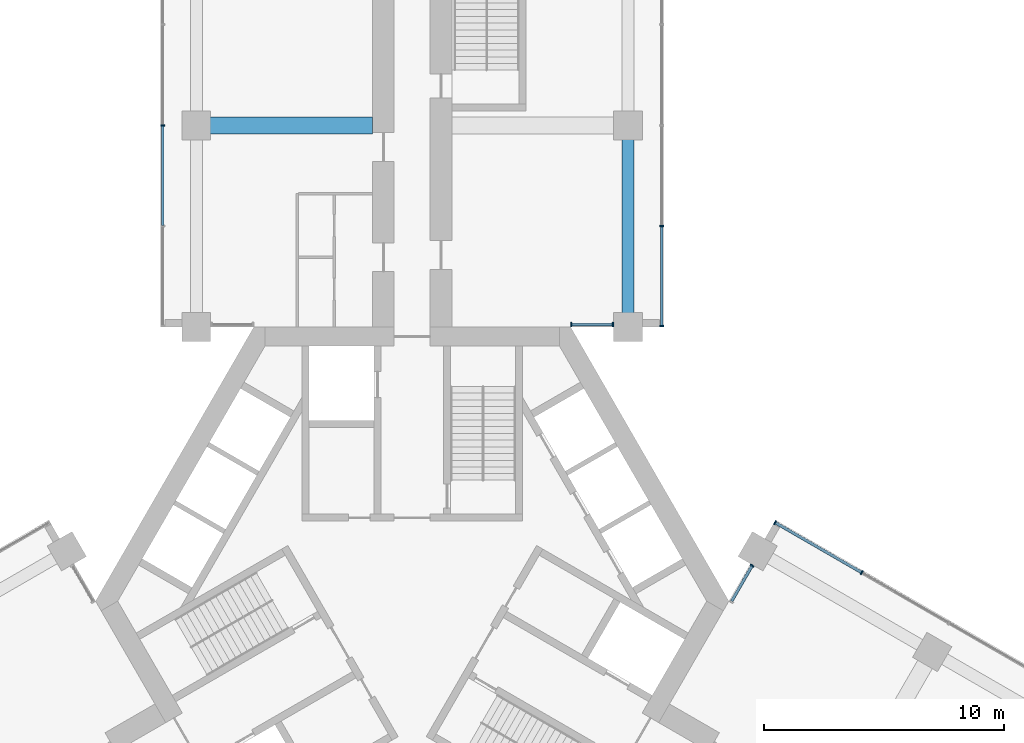
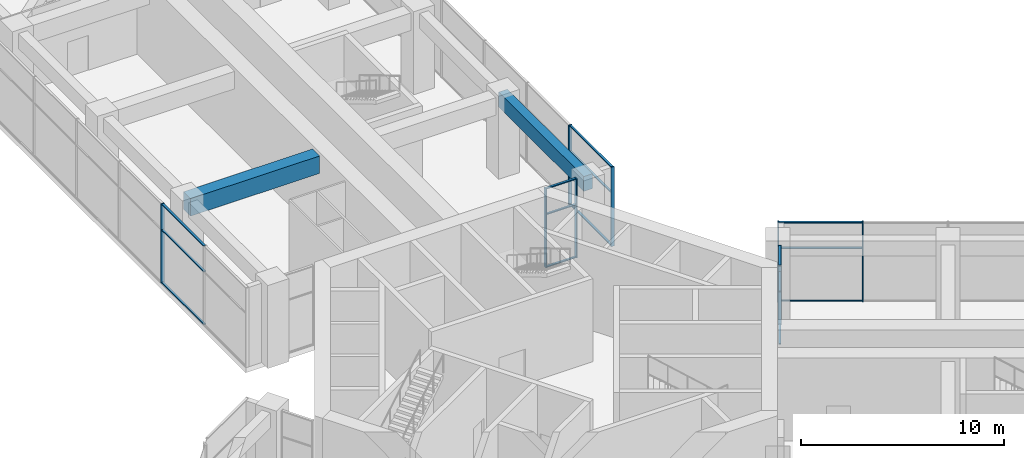
# One storey, part 7 of 20: 23 members, 2 beams, 5 elements without a shape of their own.
"""IFC4 building model written with IfcOpenShell, lengths in metres."""

from ifc_helpers import new_model, si_unit, direction, frame, origin, origin_2d, place, context, subcontext, project, spatial, rectangle, extrude, material, material_profile, profile_set, type_object, element, aggregate, save


model = new_model("IFC4")

# Units and contexts
model_context = context("Model", 3, precision=1e-05, world=origin(), true_north=direction((0.0, 1.0)))
body_context = subcontext(model_context, "Body", "Model", "MODEL_VIEW")
ifc_project = project(units=[si_unit("LENGTHUNIT", "METRE"), si_unit("AREAUNIT", "SQUARE_METRE"), si_unit("VOLUMEUNIT", "CUBIC_METRE"), si_unit("PLANEANGLEUNIT", "RADIAN"), si_unit("MASSUNIT", "GRAM", prefix="KILO")], contexts=[model_context])

# Site, building, storey
site_placement = place(None, origin())
site = spatial("IfcSite", under=ifc_project, at=site_placement, CompositionType="ELEMENT")
building_placement = place(site_placement, origin())
building = spatial("IfcBuilding", under=site, at=building_placement, Name="Impinga Residences", CompositionType="ELEMENT")
storey_placement = place(building_placement, frame((0.0, 0.0, 101.0)))
storey = spatial("IfcBuildingStorey", under=building, at=storey_placement, Name="L24", CompositionType="ELEMENT", Elevation=101.0)

# Beam
ifc_material_1 = material(Name="Concrete C60/75", Category="concrete")
ifc_material_profile_1 = material_profile(ifc_material_1, rectangle(XDim=0.699951171875, YDim=1.050048828125, at=origin_2d()), Name="RC 700x1050")
ifc_profile_set_1 = profile_set([ifc_material_profile_1], Name="Concrete C60/75")
beam_type_1 = type_object("IfcBeamType", Name="CG1 700x1050 cross girder on a wing bay line", PredefinedType="BEAM", material=ifc_profile_set_1)
beam_1_placement = place(storey_placement, frame((-1.64990234375, 19.83154296875, 4.2548828125), z_axis=(-1.0, 0.0, 0.0), x_axis=(0.0, -1.0, 0.0)))
element("IfcBeam", 1, at=beam_1_placement, inside=storey, type_object=beam_type_1, Name="Beam CG1 N2 NC/NA level L25", PredefinedType="BEAM", context=body_context, shape_type="SweptSolid", body=[
    extrude(rectangle(XDim=0.699951171875, YDim=1.050048828125, at=origin_2d()), origin(), (0.0, 0.0, 1.0), 7.35009765625),
])

# Curtain wall, member
ifc_material_2 = material(Name="Aluminium stick curtain wall", Category="aluminium")
curtain_wall_type = type_object("IfcCurtainWallType", Name="CW2 sky amenity curtain wall", PredefinedType="USERDEFINED", material=ifc_material_2)
curtain_wall_1_placement = place(storey_placement, origin())
curtain_wall_1 = element("IfcCurtainWall", 2, at=curtain_wall_1_placement, inside=storey, type_object=curtain_wall_type, Name="Curtain wall CW2 L24", ObjectType="STICK CURTAIN WALL", PredefinedType="USERDEFINED")
ifc_material_3 = material(Name="Aluminium mullion", Category="aluminium")
ifc_material_profile_2 = material_profile(ifc_material_3, rectangle(XDim=0.06005859375, YDim=0.179931640625, at=origin_2d()), Name="60x180 mullion")
ifc_profile_set_2 = profile_set([ifc_material_profile_2], Name="Aluminium mullion")
member_type_1 = type_object("IfcMemberType", Name="CW2-M mullion 60x180", PredefinedType="MULLION", material=ifc_profile_set_2)
member_1_placement = place(storey_placement, frame((-10.39990234375, 19.83154296875, 0.0), z_axis=(0.0, 0.0, 1.0), x_axis=(0.0, 1.0, 0.0)))
member_1 = element("IfcMember", 3, at=member_1_placement, type_object=member_type_1, Name="CW2 mullion 3", PredefinedType="MULLION", context=body_context, shape_type="SweptSolid", body=[
    extrude(rectangle(XDim=0.06005859375, YDim=0.179931640625, at=origin_2d()), origin(), (0.0, 0.0, 1.0), 4.780029296875),
])

# Curtain wall, members
curtain_wall_2_placement = place(storey_placement, origin())
curtain_wall_2 = element("IfcCurtainWall", 4, at=curtain_wall_2_placement, inside=storey, type_object=curtain_wall_type, Name="Curtain wall CW2 L24", ObjectType="STICK CURTAIN WALL", PredefinedType="USERDEFINED")
member_2_placement = place(storey_placement, frame((10.39990234375, 15.631591796875, 0.0), z_axis=(0.0, 0.0, 1.0), x_axis=(0.0, -1.0, 0.0)))
member_2 = element("IfcMember", 5, at=member_2_placement, type_object=member_type_1, Name="CW2 mullion 8", PredefinedType="MULLION", context=body_context, shape_type="SweptSolid", body=[
    extrude(rectangle(XDim=0.06005859375, YDim=0.179931640625, at=origin_2d()), origin(), (0.0, 0.0, 1.0), 4.780029296875),
])
member_3_placement = place(storey_placement, frame((10.39990234375, 11.46142578125, 0.0), z_axis=(0.0, 0.0, 1.0), x_axis=(0.0, -1.0, 0.0)))
member_3 = element("IfcMember", 6, at=member_3_placement, type_object=member_type_1, Name="CW2 mullion 9", PredefinedType="MULLION", context=body_context, shape_type="SweptSolid", body=[
    extrude(rectangle(XDim=0.06005859375, YDim=0.179931640625, at=origin_2d()), origin(), (0.0, 0.0, 1.0), 4.780029296875),
])

curtain_wall_3_placement = place(storey_placement, origin())
curtain_wall_3 = element("IfcCurtainWall", 7, at=curtain_wall_3_placement, inside=storey, type_object=curtain_wall_type, Name="Curtain wall CW2 L24", ObjectType="STICK CURTAIN WALL", PredefinedType="USERDEFINED")
member_4_placement = place(storey_placement, frame((8.366943359375, 11.531494140625, 0.0), z_axis=(0.0, 0.0, 1.0), x_axis=(-1.0, 0.0, 0.0)))
member_4 = element("IfcMember", 8, at=member_4_placement, type_object=member_type_1, Name="CW2 mullion 1", PredefinedType="MULLION", context=body_context, shape_type="SweptSolid", body=[
    extrude(rectangle(XDim=0.06005859375, YDim=0.179931640625, at=origin_2d()), origin(), (0.0, 0.0, 1.0), 4.780029296875),
])
member_5_placement = place(storey_placement, frame((6.6298828125, 11.531494140625, 0.0), z_axis=(0.0, 0.0, 1.0), x_axis=(-1.0, 0.0, 0.0)))
member_5 = element("IfcMember", 9, at=member_5_placement, type_object=member_type_1, Name="CW2 mullion 2", PredefinedType="MULLION", context=body_context, shape_type="SweptSolid", body=[
    extrude(rectangle(XDim=0.06005859375, YDim=0.179931640625, at=origin_2d()), origin(), (0.0, 0.0, 1.0), 4.780029296875),
])

# Curtain wall, member
curtain_wall_4_placement = place(storey_placement, origin())
curtain_wall_4 = element("IfcCurtainWall", 10, at=curtain_wall_4_placement, inside=storey, type_object=curtain_wall_type, Name="Curtain wall CW2 L24", ObjectType="STICK CURTAIN WALL", PredefinedType="USERDEFINED")
member_6_placement = place(storey_placement, frame((14.170166015625, 1.480224609375, 0.0), z_axis=(0.0, 0.0, 1.0), x_axis=(0.499999915809, 0.866025452392, 0.0)))
member_6 = element("IfcMember", 11, at=member_6_placement, type_object=member_type_1, Name="CW2 mullion 2", PredefinedType="MULLION", context=body_context, shape_type="SweptSolid", body=[
    extrude(rectangle(XDim=0.06005859375, YDim=0.179931640625, at=origin_2d()), origin(), (0.0, 0.0, 1.0), 4.780029296875),
])

# Curtain wall, members
curtain_wall_5_placement = place(storey_placement, origin())
curtain_wall_5 = element("IfcCurtainWall", 12, at=curtain_wall_5_placement, inside=storey, type_object=curtain_wall_type, Name="Curtain wall CW2 L24", ObjectType="STICK CURTAIN WALL", PredefinedType="USERDEFINED")
member_7_placement = place(storey_placement, frame((15.1259765625, 3.27587890625, 0.0), z_axis=(0.0, 0.0, 1.0), x_axis=(0.866025407005, -0.499999994423, 0.0)))
member_7 = element("IfcMember", 13, at=member_7_placement, type_object=member_type_1, Name="CW2 mullion 1", PredefinedType="MULLION", context=body_context, shape_type="SweptSolid", body=[
    extrude(rectangle(XDim=0.06005859375, YDim=0.179931640625, at=origin_2d()), origin(), (0.0, 0.0, 1.0), 4.780029296875),
])
member_8_placement = place(storey_placement, frame((18.7373046875, 1.19091796875, 0.0), z_axis=(0.0, 0.0, 1.0), x_axis=(0.866025407005, -0.499999994423, 0.0)))
member_8 = element("IfcMember", 14, at=member_8_placement, type_object=member_type_1, Name="CW2 mullion 2", PredefinedType="MULLION", context=body_context, shape_type="SweptSolid", body=[
    extrude(rectangle(XDim=0.06005859375, YDim=0.179931640625, at=origin_2d()), origin(), (0.0, 0.0, 1.0), 4.780029296875),
])

# Member
ifc_material_4 = material(Name="Aluminium transom", Category="aluminium")
ifc_material_profile_3 = material_profile(ifc_material_4, rectangle(XDim=0.06005859375, YDim=0.1201171875, at=origin_2d()), Name="60x120 transom")
ifc_profile_set_3 = profile_set([ifc_material_profile_3], Name="Aluminium transom")
member_type_2 = type_object("IfcMemberType", Name="CW2-T transom 60x120", PredefinedType="USERDEFINED", material=ifc_profile_set_3)
member_9_placement = place(storey_placement, frame((-10.39990234375, 15.66162109375, 0.030029296875), z_axis=(0.0, 1.0, 0.0), x_axis=(0.0, 0.0, 1.0)))
member_9 = element("IfcMember", 15, at=member_9_placement, type_object=member_type_2, Name="CW2 transom 2.1", ObjectType="TRANSOM", PredefinedType="USERDEFINED", context=body_context, shape_type="SweptSolid", body=[
    extrude(rectangle(XDim=0.06005859375, YDim=0.1201171875, at=origin_2d()), origin(), (0.0, 0.0, 1.0), 4.139892578125),
])

member_10_placement = place(storey_placement, frame((-10.39990234375, 15.66162109375, 3.199951171875), z_axis=(0.0, 1.0, 0.0), x_axis=(0.0, 0.0, 1.0)))
member_10 = element("IfcMember", 16, at=member_10_placement, type_object=member_type_2, Name="CW2 transom 2.2", ObjectType="TRANSOM", PredefinedType="USERDEFINED", context=body_context, shape_type="SweptSolid", body=[
    extrude(rectangle(XDim=0.06005859375, YDim=0.1201171875, at=origin_2d()), origin(), (0.0, 0.0, 1.0), 4.139892578125),
])

member_11_placement = place(storey_placement, frame((-10.39990234375, 15.66162109375, 4.75), z_axis=(0.0, 1.0, 0.0), x_axis=(0.0, 0.0, 1.0)))
member_11 = element("IfcMember", 17, at=member_11_placement, type_object=member_type_2, Name="CW2 transom 2.3", ObjectType="TRANSOM", PredefinedType="USERDEFINED", context=body_context, shape_type="SweptSolid", body=[
    extrude(rectangle(XDim=0.06005859375, YDim=0.1201171875, at=origin_2d()), origin(), (0.0, 0.0, 1.0), 4.139892578125),
])

aggregate(curtain_wall_1, [member_1, member_9, member_10, member_11])

member_12_placement = place(storey_placement, frame((10.39990234375, 15.6015625, 0.030029296875), z_axis=(0.0, -1.0, 0.0), x_axis=(0.0, 0.0, 1.0)))
member_12 = element("IfcMember", 18, at=member_12_placement, type_object=member_type_2, Name="CW2 transom 8.1", ObjectType="TRANSOM", PredefinedType="USERDEFINED", context=body_context, shape_type="SweptSolid", body=[
    extrude(rectangle(XDim=0.06005859375, YDim=0.1201171875, at=origin_2d()), origin(), (0.0, 0.0, 1.0), 4.110107421875),
])

member_13_placement = place(storey_placement, frame((10.39990234375, 15.6015625, 3.199951171875), z_axis=(0.0, -1.0, 0.0), x_axis=(0.0, 0.0, 1.0)))
member_13 = element("IfcMember", 19, at=member_13_placement, type_object=member_type_2, Name="CW2 transom 8.2", ObjectType="TRANSOM", PredefinedType="USERDEFINED", context=body_context, shape_type="SweptSolid", body=[
    extrude(rectangle(XDim=0.06005859375, YDim=0.1201171875, at=origin_2d()), origin(), (0.0, 0.0, 1.0), 4.110107421875),
])

member_14_placement = place(storey_placement, frame((10.39990234375, 15.6015625, 4.75), z_axis=(0.0, -1.0, 0.0), x_axis=(0.0, 0.0, 1.0)))
member_14 = element("IfcMember", 20, at=member_14_placement, type_object=member_type_2, Name="CW2 transom 8.3", ObjectType="TRANSOM", PredefinedType="USERDEFINED", context=body_context, shape_type="SweptSolid", body=[
    extrude(rectangle(XDim=0.06005859375, YDim=0.1201171875, at=origin_2d()), origin(), (0.0, 0.0, 1.0), 4.110107421875),
])

aggregate(curtain_wall_2, [member_2, member_3, member_12, member_13, member_14])

member_15_placement = place(storey_placement, frame((8.3369140625, 11.531494140625, 0.030029296875), z_axis=(-1.0, 0.0, 0.0), x_axis=(0.0, 0.0, 1.0)))
member_15 = element("IfcMember", 21, at=member_15_placement, type_object=member_type_2, Name="CW2 transom 1.1", ObjectType="TRANSOM", PredefinedType="USERDEFINED", context=body_context, shape_type="SweptSolid", body=[
    extrude(rectangle(XDim=0.06005859375, YDim=0.1201171875, at=origin_2d()), origin(), (0.0, 0.0, 1.0), 1.677001953125),
])

member_16_placement = place(storey_placement, frame((8.3369140625, 11.531494140625, 3.199951171875), z_axis=(-1.0, 0.0, 0.0), x_axis=(0.0, 0.0, 1.0)))
member_16 = element("IfcMember", 22, at=member_16_placement, type_object=member_type_2, Name="CW2 transom 1.2", ObjectType="TRANSOM", PredefinedType="USERDEFINED", context=body_context, shape_type="SweptSolid", body=[
    extrude(rectangle(XDim=0.06005859375, YDim=0.1201171875, at=origin_2d()), origin(), (0.0, 0.0, 1.0), 1.677001953125),
])

member_17_placement = place(storey_placement, frame((8.3369140625, 11.531494140625, 4.75), z_axis=(-1.0, 0.0, 0.0), x_axis=(0.0, 0.0, 1.0)))
member_17 = element("IfcMember", 23, at=member_17_placement, type_object=member_type_2, Name="CW2 transom 1.3", ObjectType="TRANSOM", PredefinedType="USERDEFINED", context=body_context, shape_type="SweptSolid", body=[
    extrude(rectangle(XDim=0.06005859375, YDim=0.1201171875, at=origin_2d()), origin(), (0.0, 0.0, 1.0), 1.677001953125),
])

aggregate(curtain_wall_3, [member_4, member_5, member_15, member_16, member_17])

member_18_placement = place(storey_placement, frame((13.316650390625, 0.001953125, 0.030029296875), z_axis=(0.499928289941, 0.866066801648, 0.0), x_axis=(0.0, 0.0, 1.0)))
member_18 = element("IfcMember", 24, at=member_18_placement, type_object=member_type_2, Name="CW2 transom 1.1", ObjectType="TRANSOM", PredefinedType="USERDEFINED", context=body_context, shape_type="SweptSolid", body=[
    extrude(rectangle(XDim=0.06005859375, YDim=0.1201171875, at=origin_2d()), origin(), (0.0, 0.0, 1.0), 1.677001953125),
])

member_19_placement = place(storey_placement, frame((13.316650390625, 0.001953125, 3.199951171875), z_axis=(0.499928289941, 0.866066801648, 0.0), x_axis=(0.0, 0.0, 1.0)))
member_19 = element("IfcMember", 25, at=member_19_placement, type_object=member_type_2, Name="CW2 transom 1.2", ObjectType="TRANSOM", PredefinedType="USERDEFINED", context=body_context, shape_type="SweptSolid", body=[
    extrude(rectangle(XDim=0.06005859375, YDim=0.1201171875, at=origin_2d()), origin(), (0.0, 0.0, 1.0), 1.677001953125),
])

member_20_placement = place(storey_placement, frame((13.316650390625, 0.001953125, 4.75), z_axis=(0.499928289941, 0.866066801648, 0.0), x_axis=(0.0, 0.0, 1.0)))
member_20 = element("IfcMember", 26, at=member_20_placement, type_object=member_type_2, Name="CW2 transom 1.3", ObjectType="TRANSOM", PredefinedType="USERDEFINED", context=body_context, shape_type="SweptSolid", body=[
    extrude(rectangle(XDim=0.06005859375, YDim=0.1201171875, at=origin_2d()), origin(), (0.0, 0.0, 1.0), 1.677001953125),
])

aggregate(curtain_wall_4, [member_6, member_18, member_19, member_20])

member_21_placement = place(storey_placement, frame((15.15185546875, 3.260986328125, 0.030029296875), z_axis=(0.866019409031, -0.500010383074, 0.0), x_axis=(0.0, 0.0, 1.0)))
member_21 = element("IfcMember", 27, at=member_21_placement, type_object=member_type_2, Name="CW2 transom 1.1", ObjectType="TRANSOM", PredefinedType="USERDEFINED", context=body_context, shape_type="SweptSolid", body=[
    extrude(rectangle(XDim=0.06005859375, YDim=0.1201171875, at=origin_2d()), origin(), (0.0, 0.0, 1.0), 4.1103515625),
])

member_22_placement = place(storey_placement, frame((15.15185546875, 3.260986328125, 3.199951171875), z_axis=(0.866019409031, -0.500010383074, 0.0), x_axis=(0.0, 0.0, 1.0)))
member_22 = element("IfcMember", 28, at=member_22_placement, type_object=member_type_2, Name="CW2 transom 1.2", ObjectType="TRANSOM", PredefinedType="USERDEFINED", context=body_context, shape_type="SweptSolid", body=[
    extrude(rectangle(XDim=0.06005859375, YDim=0.1201171875, at=origin_2d()), origin(), (0.0, 0.0, 1.0), 4.1103515625),
])

member_23_placement = place(storey_placement, frame((15.15185546875, 3.260986328125, 4.75), z_axis=(0.866019409031, -0.500010383074, 0.0), x_axis=(0.0, 0.0, 1.0)))
member_23 = element("IfcMember", 29, at=member_23_placement, type_object=member_type_2, Name="CW2 transom 1.3", ObjectType="TRANSOM", PredefinedType="USERDEFINED", context=body_context, shape_type="SweptSolid", body=[
    extrude(rectangle(XDim=0.06005859375, YDim=0.1201171875, at=origin_2d()), origin(), (0.0, 0.0, 1.0), 4.1103515625),
])

aggregate(curtain_wall_5, [member_7, member_8, member_21, member_22, member_23])

# Beam
ifc_material_profile_4 = material_profile(ifc_material_1, rectangle(XDim=0.5, YDim=0.89990234375, at=origin_2d()), Name="RC 500x900")
ifc_profile_set_4 = profile_set([ifc_material_profile_4], Name="Concrete C60/75")
beam_type_2 = type_object("IfcBeamType", Name="SB1 500x900 perimeter spandrel beam", PredefinedType="SPANDREL", material=ifc_profile_set_4)
beam_2_placement = place(storey_placement, frame((9.0, 11.431640625, 4.330078125), z_axis=(0.0, 1.0, 0.0), x_axis=(-1.0, 0.0, 0.0)))
element("IfcBeam", 30, at=beam_2_placement, inside=storey, type_object=beam_type_2, Name="Beam SB1 NF N1-N2 level L25", PredefinedType="SPANDREL", context=body_context, shape_type="SweptSolid", body=[
    extrude(rectangle(XDim=0.5, YDim=0.89990234375, at=origin_2d()), origin(), (0.0, 0.0, 1.0), 8.39990234375),
])

save(model, "model.ifc")
